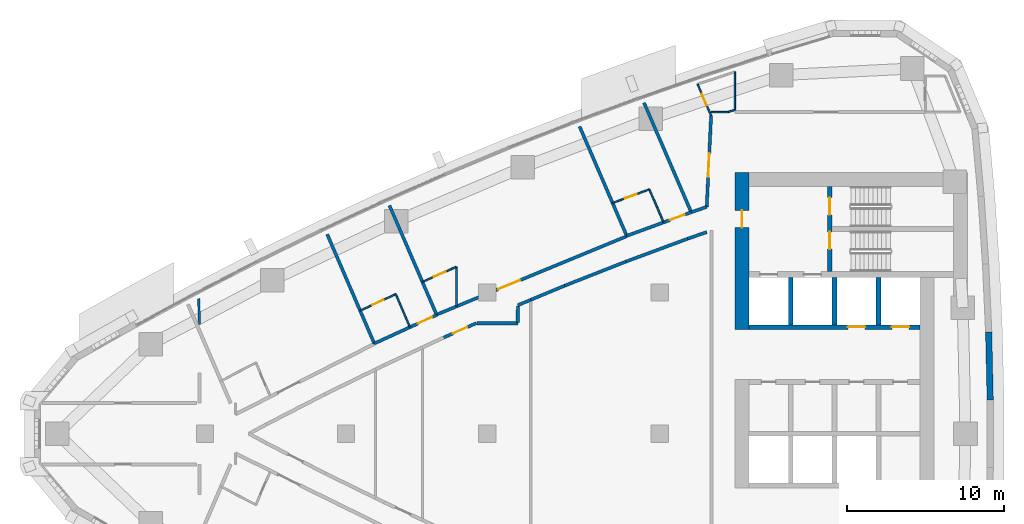
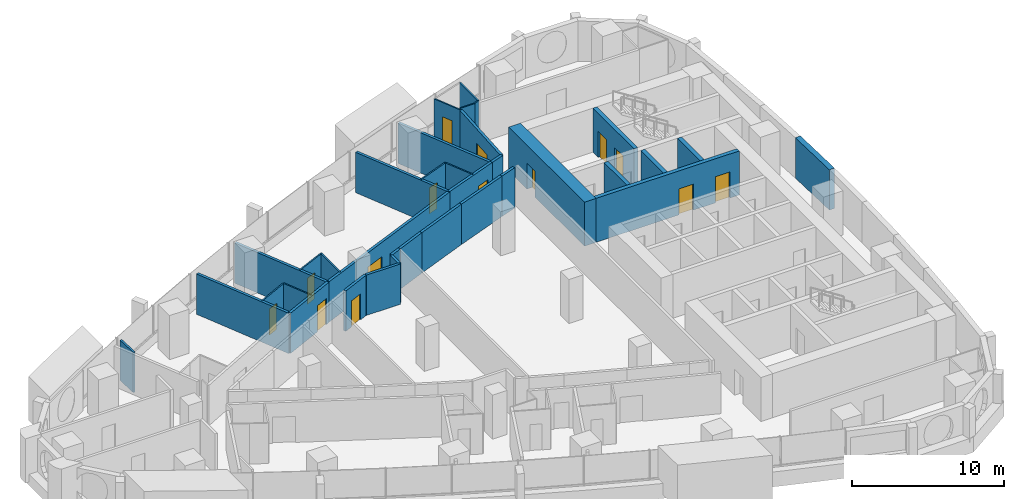
# One storey, part 11 of 16: 35 walls, 14 doors, 14 openings.
"""IFC4 building model written with IfcOpenShell, lengths in metres."""

from ifc_helpers import new_model, si_unit, direction, frame, frame_2d, origin, place, context, subcontext, project, spatial, polyline, rectangle, outline, extrude, material, layer, layer_set, type_object, element, fill, save


model = new_model("IFC4")

# Units and contexts
model_context = context("Model", 3, precision=1e-05, world=origin(), true_north=direction((0.0, 1.0)))
body_context = subcontext(model_context, "Body", "Model", "MODEL_VIEW")
ifc_project = project(units=[si_unit("LENGTHUNIT", "METRE"), si_unit("AREAUNIT", "SQUARE_METRE"), si_unit("VOLUMEUNIT", "CUBIC_METRE"), si_unit("PLANEANGLEUNIT", "RADIAN"), si_unit("MASSUNIT", "GRAM", prefix="KILO")], contexts=[model_context])

# Site, building, storey
site_placement = place(None, origin())
site = spatial("IfcSite", under=ifc_project, at=site_placement, CompositionType="ELEMENT")
building_placement = place(site_placement, origin())
building = spatial("IfcBuilding", under=site, at=building_placement, Name="Ostrand Prow Hotel Tower", CompositionType="ELEMENT")
storey_placement = place(building_placement, frame((0.0, 0.0, 147.949951171875)))
storey = spatial("IfcBuildingStorey", under=building, at=storey_placement, Name="L36", CompositionType="ELEMENT", Elevation=147.949951171875)

# Wall, openings, doors
ifc_material_1 = material(Name="Concrete C70/85", Category="concrete")
ifc_layer_1 = layer(ifc_material_1, 0.300048828125)
ifc_layer_set_1 = layer_set([ifc_layer_1], Name="Concrete C70/85")
wall_type_1 = type_object("IfcWallType", Name="Core wall 300 C70/85", PredefinedType="SHEAR", material=ifc_layer_set_1)
wall_1_placement = place(storey_placement, frame((50.699951171875, 6.800048828125, 0.0), z_axis=(0.0, 0.0, 1.0), x_axis=(1.0, 0.0, 0.0)))
wall_1 = element("IfcWall", 1, at=wall_1_placement, inside=storey, type_object=wall_type_1, Name="Core wall PW-L2-N", PredefinedType="SHEAR", context=body_context, shape_type="SweptSolid", body=[
    extrude(rectangle(XDim=10.900146484375, YDim=0.300048828125, at=frame_2d((5.4501953125, 0.0))), origin(), (0.0, 0.0, 1.0), 3.550048828125),
])
opening_1_placement = place(wall_1_placement, frame((6.300048828125, 0.0, 0.0)))
opening_1 = element("IfcOpeningElement", 2, at=opening_1_placement, cuts=wall_1, Name="Opening LD", PredefinedType="OPENING", context=body_context, shape_type="SweptSolid", body=[
    extrude(rectangle(XDim=1.10009765625, YDim=2.10009765625, at=frame_2d((0.550048828125, 1.050048828125))), frame((0.0, 0.159912109375, 0.0), z_axis=(0.0, -1.0, 0.0), x_axis=(1.0, 0.0, 0.0)), (0.0, 0.0, 1.0), 0.320068359375),
])
opening_2_placement = place(wall_1_placement, frame((9.10009765625, 0.0, 0.0)))
opening_2 = element("IfcOpeningElement", 3, at=opening_2_placement, cuts=wall_1, Name="Opening LD", PredefinedType="OPENING", context=body_context, shape_type="SweptSolid", body=[
    extrude(rectangle(XDim=1.10009765625, YDim=2.10009765625, at=frame_2d((0.550048828125, 1.050048828125))), frame((0.0, 0.159912109375, 0.0), z_axis=(0.0, -1.0, 0.0), x_axis=(1.0, 0.0, 0.0)), (0.0, 0.0, 1.0), 0.320068359375),
])
ifc_material_2 = material(Name="Stainless steel door", Category="steel")
door_type_1 = type_object("IfcDoorType", Name="Lift landing door 1100", OperationType="DOUBLE_DOOR_SLIDING", PredefinedType="DOOR", material=ifc_material_2)
door_1_placement = place(opening_1_placement, origin())
door_1 = element("IfcDoor", 4, at=door_1_placement, inside=storey, type_object=door_type_1, Name="LIFT LANDING DOOR", OperationType="DOUBLE_DOOR_SLIDING", OverallHeight=2.10009765625, OverallWidth=1.10009765625, PredefinedType="DOOR", context=body_context, shape_type="SweptSolid", body=[
    extrude(rectangle(XDim=1.10009765625, YDim=2.10009765625, at=frame_2d((0.550048828125, 1.050048828125))), frame((0.0, 0.02490234375, 0.0), z_axis=(0.0, -1.0, 0.0), x_axis=(1.0, 0.0, 0.0)), (0.0, 0.0, 1.0), 0.050048828125),
])
fill(opening_1, door_1)
door_2_placement = place(opening_2_placement, origin())
door_2 = element("IfcDoor", 5, at=door_2_placement, inside=storey, type_object=door_type_1, Name="LIFT LANDING DOOR", OperationType="DOUBLE_DOOR_SLIDING", OverallHeight=2.10009765625, OverallWidth=1.10009765625, PredefinedType="DOOR", context=body_context, shape_type="SweptSolid", body=[
    extrude(rectangle(XDim=1.10009765625, YDim=2.10009765625, at=frame_2d((0.550048828125, 1.050048828125))), frame((0.0, 0.02490234375, 0.0), z_axis=(0.0, -1.0, 0.0), x_axis=(1.0, 0.0, 0.0)), (0.0, 0.0, 1.0), 0.050048828125),
])
fill(opening_2, door_2)

# Walls
for number, where, z_axis, x_axis, name in (
    (6, (53.35009765625, 6.949951171875, 0.0), (0.0, 0.0, 1.0), (0.0, 1.0, 0.0), "Core wall PW-R1-NA"),
    (7, (56.14990234375, 6.949951171875, 0.0), (0.0, 0.0, 1.0), (0.0, 1.0, 0.0), "Core wall PW-R2-NA"),
    (8, (58.949951171875, 6.949951171875, 0.0), (0.0, 0.0, 1.0), (0.0, 1.0, 0.0), "Core wall PW-R3-NA"),
):
    element("IfcWall", number, at=place(storey_placement, frame(where, z_axis=z_axis, x_axis=x_axis)), inside=storey, type_object=wall_type_1, Name=name, PredefinedType="SHEAR", context=body_context, shape_type="SweptSolid", body=[
        extrude(rectangle(XDim=3.0, YDim=0.300048828125, at=frame_2d((1.5, 0.0))), origin(), (0.0, 0.0, 1.0), 3.550048828125),
    ])

# Wall, openings, doors
wall_2_placement = place(storey_placement, frame((55.85009765625, 10.35009765625, 0.0), z_axis=(0.0, 0.0, 1.0), x_axis=(0.0, 1.0, 0.0)))
wall_2 = element("IfcWall", 9, at=wall_2_placement, inside=storey, type_object=wall_type_1, Name="Core wall PW-VN", PredefinedType="SHEAR", context=body_context, shape_type="SweptSolid", body=[
    extrude(rectangle(XDim=5.39990234375, YDim=0.300048828125, at=frame_2d((2.699951171875, 0.0))), origin(), (0.0, 0.0, 1.0), 3.550048828125),
])
opening_3_placement = place(wall_2_placement, frame((1.429931640625, 0.0, 0.0)))
opening_3 = element("IfcOpeningElement", 10, at=opening_3_placement, cuts=wall_2, Name="Opening FD1", PredefinedType="OPENING", context=body_context, shape_type="SweptSolid", body=[
    extrude(rectangle(XDim=1.10009765625, YDim=2.10009765625, at=frame_2d((0.550048828125, 1.050048828125))), frame((0.0, 0.159912109375, 0.0), z_axis=(0.0, -1.0, 0.0), x_axis=(1.0, 0.0, 0.0)), (0.0, 0.0, 1.0), 0.320068359375),
])
opening_4_placement = place(wall_2_placement, frame((3.60009765625, 0.0, 0.0)))
opening_4 = element("IfcOpeningElement", 11, at=opening_4_placement, cuts=wall_2, Name="Opening FD1", PredefinedType="OPENING", context=body_context, shape_type="SweptSolid", body=[
    extrude(rectangle(XDim=1.10009765625, YDim=2.10009765625, at=frame_2d((0.550048828125, 1.050048828125))), frame((0.0, 0.159912109375, 0.0), z_axis=(0.0, -1.0, 0.0), x_axis=(1.0, 0.0, 0.0)), (0.0, 0.0, 1.0), 0.320068359375),
])
ifc_material_3 = material(Name="Steel fire door", Category="steel")
door_type_2 = type_object("IfcDoorType", Name="Fire door 1100 EI120", OperationType="SINGLE_SWING_RIGHT", PredefinedType="DOOR", material=ifc_material_3)
door_3_placement = place(opening_3_placement, origin())
door_3 = element("IfcDoor", 12, at=door_3_placement, inside=storey, type_object=door_type_2, Name="FIRE DOOR", OperationType="SINGLE_SWING_RIGHT", OverallHeight=2.10009765625, OverallWidth=1.10009765625, PredefinedType="DOOR", context=body_context, shape_type="SweptSolid", body=[
    extrude(rectangle(XDim=1.10009765625, YDim=2.10009765625, at=frame_2d((0.550048828125, 1.050048828125))), frame((0.0, 0.02490234375, 0.0), z_axis=(0.0, -1.0, 0.0), x_axis=(1.0, 0.0, 0.0)), (0.0, 0.0, 1.0), 0.050048828125),
])
fill(opening_3, door_3)
door_4_placement = place(opening_4_placement, origin())
door_4 = element("IfcDoor", 13, at=door_4_placement, inside=storey, type_object=door_type_2, Name="FIRE DOOR", OperationType="SINGLE_SWING_RIGHT", OverallHeight=2.10009765625, OverallWidth=1.10009765625, PredefinedType="DOOR", context=body_context, shape_type="SweptSolid", body=[
    extrude(rectangle(XDim=1.10009765625, YDim=2.10009765625, at=frame_2d((0.550048828125, 1.050048828125))), frame((0.0, 0.02490234375, 0.0), z_axis=(0.0, -1.0, 0.0), x_axis=(1.0, 0.0, 0.0)), (0.0, 0.0, 1.0), 0.050048828125),
])
fill(opening_4, door_4)

# Wall, opening, door
ifc_material_4 = material(Name="Concrete C70/85", Category="concrete")
ifc_layer_2 = layer(ifc_material_4, 0.89990234375)
ifc_layer_set_2 = layer_set([ifc_layer_2], Name="Concrete C70/85")
wall_type_2 = type_object("IfcWallType", Name="Core wall 900 C70/85", PredefinedType="SHEAR", material=ifc_layer_set_2)
wall_3_placement = place(storey_placement, frame((50.25, 6.64990234375, 0.0), z_axis=(0.0, 0.0, 1.0), x_axis=(0.0, 1.0, 0.0)))
wall_3 = element("IfcWall", 14, at=wall_3_placement, inside=storey, type_object=wall_type_2, Name="Core wall CW-W-N", PredefinedType="SHEAR", context=body_context, shape_type="SweptSolid", body=[
    extrude(rectangle(XDim=10.0, YDim=0.89990234375, at=frame_2d((5.0, 0.0))), origin(), (0.0, 0.0, 1.0), 3.550048828125),
])
opening_5_placement = place(wall_3_placement, frame((6.5, 0.0, 0.0)))
opening_5 = element("IfcOpeningElement", 15, at=opening_5_placement, cuts=wall_3, Name="Opening FD1", PredefinedType="OPENING", context=body_context, shape_type="SweptSolid", body=[
    extrude(rectangle(XDim=1.10009765625, YDim=2.10009765625, at=frame_2d((0.550048828125, 1.050048828125))), frame((0.0, 0.4599609375, 0.0), z_axis=(0.0, -1.0, 0.0), x_axis=(1.0, 0.0, 0.0)), (0.0, 0.0, 1.0), 0.919921875),
])
door_5_placement = place(opening_5_placement, origin())
door_5 = element("IfcDoor", 16, at=door_5_placement, inside=storey, type_object=door_type_2, Name="FIRE DOOR", OperationType="SINGLE_SWING_RIGHT", OverallHeight=2.10009765625, OverallWidth=1.10009765625, PredefinedType="DOOR", context=body_context, shape_type="SweptSolid", body=[
    extrude(rectangle(XDim=1.10009765625, YDim=2.10009765625, at=frame_2d((0.550048828125, 1.050048828125))), frame((0.0, 0.02490234375, 0.0), z_axis=(0.0, -1.0, 0.0), x_axis=(1.0, 0.0, 0.0)), (0.0, 0.0, 1.0), 0.050048828125),
])
fill(opening_5, door_5)

ifc_material_5 = material(Name="Plasterboard partition")
ifc_layer_3 = layer(ifc_material_5, 0.10009765625)
ifc_layer_set_3 = layer_set([ifc_layer_3], Name="Plasterboard partition")
wall_type_3 = type_object("IfcWallType", Name="Partition 100 bathroom wall", PredefinedType="PARTITIONING", material=ifc_layer_set_3)
wall_4_placement = place(storey_placement, frame((25.900146484375, 7.847412109375, 0.0), z_axis=(0.0, 0.0, 1.0), x_axis=(0.906813113059, 0.421532890751, 0.0)))
wall_4 = element("IfcWall", 17, at=wall_4_placement, inside=storey, type_object=wall_type_3, Name="BATHROOM WALL", PredefinedType="PARTITIONING", context=body_context, shape_type="SweptSolid", body=[
    extrude(rectangle(XDim=2.5009765625, YDim=0.10009765625, at=frame_2d((1.25048828125, 0.0))), origin(), (0.0, 0.0, 1.0), 3.25),
])
opening_6_placement = place(wall_4_placement, frame((0.85009765625, 0.0, 0.0)))
opening_6 = element("IfcOpeningElement", 18, at=opening_6_placement, cuts=wall_4, Name="Opening D2", PredefinedType="OPENING", context=body_context, shape_type="SweptSolid", body=[
    extrude(rectangle(XDim=0.800048828125, YDim=2.10009765625, at=frame_2d((0.39990234375, 1.050048828125))), frame((0.0, 0.06005859375, 0.0), z_axis=(0.0, -1.0, 0.0), x_axis=(1.0, 0.0, 0.0)), (0.0, 0.0, 1.0), 0.1201171875),
])
ifc_material_6 = material(Name="Timber door leaf", Category="wood")
door_type_3 = type_object("IfcDoorType", Name="Bathroom door 800", OperationType="SINGLE_SWING_LEFT", PredefinedType="DOOR", material=ifc_material_6)
door_6_placement = place(opening_6_placement, origin())
door_6 = element("IfcDoor", 19, at=door_6_placement, inside=storey, type_object=door_type_3, Name="DOOR", OperationType="SINGLE_SWING_LEFT", OverallHeight=2.10009765625, OverallWidth=0.800048828125, PredefinedType="DOOR", context=body_context, shape_type="SweptSolid", body=[
    extrude(rectangle(XDim=0.800048828125, YDim=2.10009765625, at=frame_2d((0.39990234375, 1.050048828125))), frame((0.0, 0.02490234375, 0.0), z_axis=(0.0, -1.0, 0.0), x_axis=(1.0, 0.0, 0.0)), (0.0, 0.0, 1.0), 0.050048828125),
])
fill(opening_6, door_6)

# Wall
wall_5_placement = place(storey_placement, frame((28.16796875, 8.901611328125, 0.0), z_axis=(0.0, 0.0, 1.0), x_axis=(0.396000751487, -0.918250186399, 0.0)))
element("IfcWall", 20, at=wall_5_placement, inside=storey, type_object=wall_type_3, Name="BATHROOM WALL", PredefinedType="PARTITIONING", context=body_context, shape_type="SweptSolid", body=[
    extrude(rectangle(XDim=2.278076171875, YDim=0.10009765625, at=frame_2d((1.13916015625, 0.0))), origin(), (0.0, 0.0, 1.0), 3.25),
])

# Wall, opening, door
wall_6_placement = place(storey_placement, frame((29.86962890625, 9.6875, 0.0), z_axis=(0.0, 0.0, 1.0), x_axis=(0.915108845766, 0.403206895278, 0.0)))
wall_6 = element("IfcWall", 21, at=wall_6_placement, inside=storey, type_object=wall_type_3, Name="BATHROOM WALL", PredefinedType="PARTITIONING", context=body_context, shape_type="SweptSolid", body=[
    extrude(rectangle(XDim=2.3583984375, YDim=0.10009765625, at=frame_2d((1.17919921875, 0.0))), origin(), (0.0, 0.0, 1.0), 3.25),
])
opening_7_placement = place(wall_6_placement, frame((0.800048828125, 0.0, 0.0)))
opening_7 = element("IfcOpeningElement", 22, at=opening_7_placement, cuts=wall_6, Name="Opening D2", PredefinedType="OPENING", context=body_context, shape_type="SweptSolid", body=[
    extrude(rectangle(XDim=0.800048828125, YDim=2.10009765625, at=frame_2d((0.39990234375, 1.050048828125))), frame((0.0, 0.06005859375, 0.0), z_axis=(0.0, -1.0, 0.0), x_axis=(1.0, 0.0, 0.0)), (0.0, 0.0, 1.0), 0.1201171875),
])
door_7_placement = place(opening_7_placement, origin())
door_7 = element("IfcDoor", 23, at=door_7_placement, inside=storey, type_object=door_type_3, Name="DOOR", OperationType="SINGLE_SWING_LEFT", OverallHeight=2.10009765625, OverallWidth=0.800048828125, PredefinedType="DOOR", context=body_context, shape_type="SweptSolid", body=[
    extrude(rectangle(XDim=0.800048828125, YDim=2.10009765625, at=frame_2d((0.39990234375, 1.050048828125))), frame((0.0, 0.02490234375, 0.0), z_axis=(0.0, -1.0, 0.0), x_axis=(1.0, 0.0, 0.0)), (0.0, 0.0, 1.0), 0.050048828125),
])
fill(opening_7, door_7)

wall_7_placement = place(storey_placement, frame((41.996337890625, 14.714111328125, 0.0), z_axis=(0.0, 0.0, 1.0), x_axis=(0.937752290113, 0.347304826323, 0.0)))
wall_7 = element("IfcWall", 24, at=wall_7_placement, inside=storey, type_object=wall_type_3, Name="BATHROOM WALL", PredefinedType="PARTITIONING", context=body_context, shape_type="SweptSolid", body=[
    extrude(rectangle(XDim=2.503173828125, YDim=0.10009765625, at=frame_2d((1.25146484375, 0.0))), origin(), (0.0, 0.0, 1.0), 3.25),
])
opening_8_placement = place(wall_7_placement, frame((0.85009765625, 0.0, 0.0)))
opening_8 = element("IfcOpeningElement", 25, at=opening_8_placement, cuts=wall_7, Name="Opening D2", PredefinedType="OPENING", context=body_context, shape_type="SweptSolid", body=[
    extrude(rectangle(XDim=0.800048828125, YDim=2.10009765625, at=frame_2d((0.39990234375, 1.050048828125))), frame((0.0, 0.06005859375, 0.0), z_axis=(0.0, -1.0, 0.0), x_axis=(1.0, 0.0, 0.0)), (0.0, 0.0, 1.0), 0.1201171875),
])
door_8_placement = place(opening_8_placement, origin())
door_8 = element("IfcDoor", 26, at=door_8_placement, inside=storey, type_object=door_type_3, Name="DOOR", OperationType="SINGLE_SWING_LEFT", OverallHeight=2.10009765625, OverallWidth=0.800048828125, PredefinedType="DOOR", context=body_context, shape_type="SweptSolid", body=[
    extrude(rectangle(XDim=0.800048828125, YDim=2.10009765625, at=frame_2d((0.39990234375, 1.050048828125))), frame((0.0, 0.02490234375, 0.0), z_axis=(0.0, -1.0, 0.0), x_axis=(1.0, 0.0, 0.0)), (0.0, 0.0, 1.0), 0.050048828125),
])
fill(opening_8, door_8)

# Wall
wall_8_placement = place(storey_placement, frame((44.343994140625, 15.58349609375, 0.0), z_axis=(0.0, 0.0, 1.0), x_axis=(0.395960119478, -0.918267708124, 0.0)))
element("IfcWall", 27, at=wall_8_placement, inside=storey, type_object=wall_type_3, Name="BATHROOM WALL", PredefinedType="PARTITIONING", context=body_context, shape_type="SweptSolid", body=[
    extrude(rectangle(XDim=2.280029296875, YDim=0.10009765625, at=frame_2d((1.14013671875, 0.0))), origin(), (0.0, 0.0, 1.0), 3.25),
])

# Wall, opening, door
wall_9_placement = place(storey_placement, frame((48.27880859375, 20.28857421875, 0.0), z_axis=(0.0, 0.0, 1.0), x_axis=(-0.396028123143, 0.918238381729, 0.0)))
wall_9 = element("IfcWall", 28, at=wall_9_placement, inside=storey, type_object=wall_type_3, Name="BATHROOM WALL", PredefinedType="PARTITIONING", context=body_context, shape_type="SweptSolid", body=[
    extrude(rectangle(XDim=2.1787109375, YDim=0.10009765625, at=frame_2d((1.08935546875, 0.0))), origin(), (0.0, 0.0, 1.0), 3.25),
])
opening_9_placement = place(wall_9_placement, frame((0.699951171875, 0.0, 0.0)))
opening_9 = element("IfcOpeningElement", 29, at=opening_9_placement, cuts=wall_9, Name="Opening D2", PredefinedType="OPENING", context=body_context, shape_type="SweptSolid", body=[
    extrude(rectangle(XDim=0.800048828125, YDim=2.10009765625, at=frame_2d((0.39990234375, 1.050048828125))), frame((0.0, 0.06005859375, 0.0), z_axis=(0.0, -1.0, 0.0), x_axis=(1.0, 0.0, 0.0)), (0.0, 0.0, 1.0), 0.1201171875),
])
door_9_placement = place(opening_9_placement, origin())
door_9 = element("IfcDoor", 30, at=door_9_placement, inside=storey, type_object=door_type_3, Name="DOOR", OperationType="SINGLE_SWING_LEFT", OverallHeight=2.10009765625, OverallWidth=0.800048828125, PredefinedType="DOOR", context=body_context, shape_type="SweptSolid", body=[
    extrude(rectangle(XDim=0.800048828125, YDim=2.10009765625, at=frame_2d((0.39990234375, 1.050048828125))), frame((0.0, 0.02490234375, 0.0), z_axis=(0.0, -1.0, 0.0), x_axis=(1.0, 0.0, 0.0)), (0.0, 0.0, 1.0), 0.050048828125),
])
fill(opening_9, door_9)

# Walls
wall_10_placement = place(storey_placement, frame((32.044921875, 10.6640625, 0.0), z_axis=(0.0, 0.0, 1.0), x_axis=(0.0, -1.0, 0.0)))
element("IfcWall", 31, at=wall_10_placement, inside=storey, type_object=wall_type_3, Name="BATHROOM WALL", PredefinedType="PARTITIONING", context=body_context, shape_type="SweptSolid", body=[
    extrude(rectangle(XDim=2.52587890625, YDim=0.10009765625, at=frame_2d((1.262939453125, 0.0))), origin(), (0.0, 0.0, 1.0), 3.25),
])
wall_11_placement = place(storey_placement, frame((49.800048828125, 23.07421875, 0.0), z_axis=(0.0, 0.0, 1.0), x_axis=(0.0, -1.0, 0.0)))
element("IfcWall", 32, at=wall_11_placement, inside=storey, type_object=wall_type_3, Name="BATHROOM WALL", PredefinedType="PARTITIONING", context=body_context, shape_type="SweptSolid", body=[
    extrude(rectangle(XDim=2.41845703125, YDim=0.10009765625, at=frame_2d((1.209228515625, 0.0))), origin(), (0.0, 0.0, 1.0), 3.25),
])
wall_12_placement = place(storey_placement, frame((49.800048828125, 20.65576171875, 0.0), z_axis=(0.0, 0.0, 1.0), x_axis=(-0.950681805248, -0.310167866115, 0.0)))
element("IfcWall", 33, at=wall_12_placement, inside=storey, type_object=wall_type_3, Name="BATHROOM WALL", PredefinedType="PARTITIONING", context=body_context, shape_type="SweptSolid", body=[
    extrude(rectangle(XDim=0.423583984375, YDim=0.10009765625, at=frame_2d((0.2119140625, 0.0))), origin(), (0.0, 0.0, 1.0), 3.25),
])
wall_13_placement = place(storey_placement, frame((49.433837890625, 20.5048828125, 0.0), z_axis=(0.0, 0.0, 1.0), x_axis=(-1.0, 0.0, 0.0)))
element("IfcWall", 34, at=wall_13_placement, inside=storey, type_object=wall_type_3, Name="BATHROOM WALL", PredefinedType="PARTITIONING", context=body_context, shape_type="SweptSolid", body=[
    extrude(rectangle(XDim=1.13525390625, YDim=0.10009765625, at=frame_2d((0.567626953125, 0.0))), origin(), (0.0, 0.0, 1.0), 3.25),
])
ifc_material_7 = material(Name="Plasterboard partition")
ifc_layer_4 = layer(ifc_material_7, 0.14990234375)
ifc_layer_set_4 = layer_set([ifc_layer_4], Name="Plasterboard partition")
wall_type_4 = type_object("IfcWallType", Name="Partition 150 room partition", PredefinedType="PARTITIONING", material=ifc_layer_set_4)
wall_14_placement = place(storey_placement, frame((15.603759765625, 8.60888671875, 0.0), z_axis=(0.0, 0.0, 1.0), x_axis=(0.033196927484, -0.999448830109, 0.0)))
element("IfcWall", 35, at=wall_14_placement, inside=storey, type_object=wall_type_4, Name="ROOM PARTITION", PredefinedType="PARTITIONING", context=body_context, shape_type="SweptSolid", body=[
    extrude(rectangle(XDim=1.65478515625, YDim=0.14990234375, at=frame_2d((0.827392578125, 0.0))), origin(), (0.0, 0.0, 1.0), 3.25),
])

# Wall, opening, door
ifc_material_8 = material(Name="Plasterboard partition")
ifc_layer_5 = layer(ifc_material_8, 0.199951171875)
ifc_layer_set_5 = layer_set([ifc_layer_5], Name="Plasterboard partition")
wall_type_5 = type_object("IfcWallType", Name="Partition 200 corridor wall", PredefinedType="PARTITIONING", material=ifc_layer_set_5)
wall_15_placement = place(storey_placement, frame((26.80322265625, 5.7529296875, 0.0), z_axis=(0.0, 0.0, 1.0), x_axis=(0.90910092787, 0.416575926987, 0.0)))
wall_15 = element("IfcWall", 36, at=wall_15_placement, inside=storey, type_object=wall_type_5, Name="CORRIDOR WALL", PredefinedType="PARTITIONING", context=body_context, shape_type="SweptSolid", body=[
    extrude(rectangle(XDim=4.375, YDim=0.199951171875, at=frame_2d((2.1875, 0.0))), origin(), (0.0, 0.0, 1.0), 3.25),
])
opening_10_placement = place(wall_15_placement, frame((3.050048828125, 0.0, 0.0)))
opening_10 = element("IfcOpeningElement", 37, at=opening_10_placement, cuts=wall_15, Name="Opening D1R", PredefinedType="OPENING", context=body_context, shape_type="SweptSolid", body=[
    extrude(rectangle(XDim=1.0, YDim=2.10009765625, at=frame_2d((0.5, 1.050048828125))), frame((0.0, 0.10986328125, 0.0), z_axis=(0.0, -1.0, 0.0), x_axis=(1.0, 0.0, 0.0)), (0.0, 0.0, 1.0), 0.219970703125),
])
ifc_material_9 = material(Name="Timber door leaf", Category="wood")
door_type_4 = type_object("IfcDoorType", Name="Guest room door 1000 right", OperationType="SINGLE_SWING_RIGHT", PredefinedType="DOOR", material=ifc_material_9)
door_10_placement = place(opening_10_placement, origin())
door_10 = element("IfcDoor", 38, at=door_10_placement, inside=storey, type_object=door_type_4, Name="DOOR", OperationType="SINGLE_SWING_RIGHT", OverallHeight=2.10009765625, OverallWidth=1.0, PredefinedType="DOOR", context=body_context, shape_type="SweptSolid", body=[
    extrude(rectangle(XDim=1.0, YDim=2.10009765625, at=frame_2d((0.5, 1.050048828125))), frame((0.0, 0.02490234375, 0.0), z_axis=(0.0, -1.0, 0.0), x_axis=(1.0, 0.0, 0.0)), (0.0, 0.0, 1.0), 0.050048828125),
])
fill(opening_10, door_10)

wall_16_placement = place(storey_placement, frame((30.7724609375, 7.593994140625, 0.0), z_axis=(0.0, 0.0, 1.0), x_axis=(0.924461873383, 0.381274500407, 0.0)))
wall_16 = element("IfcWall", 39, at=wall_16_placement, inside=storey, type_object=wall_type_5, Name="CORRIDOR WALL", PredefinedType="PARTITIONING", context=body_context, shape_type="SweptSolid", body=[
    extrude(rectangle(XDim=13.12744140625, YDim=0.199951171875, at=frame_2d((6.563720703125, 0.0))), origin(), (0.0, 0.0, 1.0), 3.25),
])
opening_11_placement = place(wall_16_placement, frame((4.25, 0.0, 0.0)))
opening_11 = element("IfcOpeningElement", 40, at=opening_11_placement, cuts=wall_16, Name="Opening D15", PredefinedType="OPENING", context=body_context, shape_type="SweptSolid", body=[
    extrude(rectangle(XDim=1.5, YDim=2.10009765625, at=frame_2d((0.75, 1.050048828125))), frame((0.0, 0.10986328125, 0.0), z_axis=(0.0, -1.0, 0.0), x_axis=(1.0, 0.0, 0.0)), (0.0, 0.0, 1.0), 0.219970703125),
])
ifc_material_10 = material(Name="Timber door leaf", Category="wood")
door_type_5 = type_object("IfcDoorType", Name="Double door 1500", OperationType="DOUBLE_DOOR_SINGLE_SWING", PredefinedType="DOOR", material=ifc_material_10)
door_11_placement = place(opening_11_placement, origin())
door_11 = element("IfcDoor", 41, at=door_11_placement, inside=storey, type_object=door_type_5, Name="DOOR", OperationType="DOUBLE_DOOR_SINGLE_SWING", OverallHeight=2.10009765625, OverallWidth=1.5, PredefinedType="DOOR", context=body_context, shape_type="SweptSolid", body=[
    extrude(rectangle(XDim=1.5, YDim=2.10009765625, at=frame_2d((0.75, 1.050048828125))), frame((0.0, 0.02490234375, 0.0), z_axis=(0.0, -1.0, 0.0), x_axis=(1.0, 0.0, 0.0)), (0.0, 0.0, 1.0), 0.050048828125),
])
fill(opening_11, door_11)

wall_17_placement = place(storey_placement, frame((47.012451171875, 14.123779296875, 0.0), z_axis=(0.0, 0.0, 1.0), x_axis=(-0.938980181367, -0.343971247345, 0.0)))
wall_17 = element("IfcWall", 42, at=wall_17_placement, inside=storey, type_object=wall_type_5, Name="CORRIDOR WALL", PredefinedType="PARTITIONING", context=body_context, shape_type="SweptSolid", body=[
    extrude(rectangle(XDim=4.37939453125, YDim=0.199951171875, at=frame_2d((2.189697265625, 0.0))), origin(), (0.0, 0.0, 1.0), 3.25),
])
opening_12_placement = place(wall_17_placement, frame((0.449951171875, 0.0, 0.0)))
opening_12 = element("IfcOpeningElement", 43, at=opening_12_placement, cuts=wall_17, Name="Opening D1R", PredefinedType="OPENING", context=body_context, shape_type="SweptSolid", body=[
    extrude(rectangle(XDim=1.0, YDim=2.10009765625, at=frame_2d((0.5, 1.050048828125))), frame((0.0, 0.10986328125, 0.0), z_axis=(0.0, -1.0, 0.0), x_axis=(1.0, 0.0, 0.0)), (0.0, 0.0, 1.0), 0.219970703125),
])
door_12_placement = place(opening_12_placement, origin())
door_12 = element("IfcDoor", 44, at=door_12_placement, inside=storey, type_object=door_type_4, Name="DOOR", OperationType="SINGLE_SWING_RIGHT", OverallHeight=2.10009765625, OverallWidth=1.0, PredefinedType="DOOR", context=body_context, shape_type="SweptSolid", body=[
    extrude(rectangle(XDim=1.0, YDim=2.10009765625, at=frame_2d((0.5, 1.050048828125))), frame((0.0, 0.02490234375, 0.0), z_axis=(0.0, -1.0, 0.0), x_axis=(1.0, 0.0, 0.0)), (0.0, 0.0, 1.0), 0.050048828125),
])
fill(opening_12, door_12)

wall_18_placement = place(storey_placement, frame((31.231201171875, 6.135009765625, 0.0), z_axis=(0.0, 0.0, 1.0), x_axis=(0.915102334452, 0.403221672881, 0.0)))
wall_18 = element("IfcWall", 45, at=wall_18_placement, inside=storey, type_object=wall_type_5, Name="CORRIDOR WALL", PredefinedType="PARTITIONING", context=body_context, shape_type="SweptSolid", body=[
    extrude(rectangle(XDim=2.269287109375, YDim=0.199951171875, at=frame_2d((1.134765625, 0.0))), origin(), (0.0, 0.0, 1.0), 3.25),
])
opening_13_placement = place(wall_18_placement, frame((0.634521484375, 0.0, 0.0)))
opening_13 = element("IfcOpeningElement", 46, at=opening_13_placement, cuts=wall_18, Name="Opening D1R", PredefinedType="OPENING", context=body_context, shape_type="SweptSolid", body=[
    extrude(rectangle(XDim=1.0, YDim=2.10009765625, at=frame_2d((0.5, 1.050048828125))), frame((0.0, 0.10986328125, 0.0), z_axis=(0.0, -1.0, 0.0), x_axis=(1.0, 0.0, 0.0)), (0.0, 0.0, 1.0), 0.219970703125),
])
door_13_placement = place(opening_13_placement, origin())
door_13 = element("IfcDoor", 47, at=door_13_placement, inside=storey, type_object=door_type_4, Name="DOOR", OperationType="SINGLE_SWING_RIGHT", OverallHeight=2.10009765625, OverallWidth=1.0, PredefinedType="DOOR", context=body_context, shape_type="SweptSolid", body=[
    extrude(rectangle(XDim=1.0, YDim=2.10009765625, at=frame_2d((0.5, 1.050048828125))), frame((0.0, 0.02490234375, 0.0), z_axis=(0.0, -1.0, 0.0), x_axis=(1.0, 0.0, 0.0)), (0.0, 0.0, 1.0), 0.050048828125),
])
fill(opening_13, door_13)

# Walls
wall_19_placement = place(storey_placement, frame((35.949951171875, 8.193115234375, 0.0), z_axis=(0.0, 0.0, 1.0), x_axis=(0.922997009646, 0.384807120756, 0.0)))
element("IfcWall", 48, at=wall_19_placement, inside=storey, type_object=wall_type_5, Name="CORRIDOR WALL", PredefinedType="PARTITIONING", context=body_context, shape_type="SweptSolid", body=[
    extrude(rectangle(XDim=0.904052734375, YDim=0.199951171875, at=frame_2d((0.4521484375, 0.0))), origin(), (0.0, 0.0, 1.0), 3.25),
])
for number, where, z_axis, x_axis, name in (
    (49, (38.943115234375, 9.44091796875, 0.0), (0.0, 0.0, 1.0), (0.930576677263, 0.36609704688, 0.0), "CORRIDOR WALL"),
    (50, (42.84716796875, 10.976806640625, 0.0), (0.0, 0.0, 1.0), (0.937732614305, 0.347357948044, 0.0), "CORRIDOR WALL"),
):
    element("IfcWall", number, at=place(storey_placement, frame(where, z_axis=z_axis, x_axis=x_axis)), inside=storey, type_object=wall_type_5, Name=name, PredefinedType="PARTITIONING", context=body_context, shape_type="SweptSolid", body=[
        extrude(rectangle(XDim=4.1953125, YDim=0.199951171875, at=frame_2d((2.09765625, 0.0))), origin(), (0.0, 0.0, 1.0), 3.25),
    ])
wall_20_placement = place(storey_placement, frame((36.784423828125, 8.541015625, 0.0), z_axis=(0.0, 0.0, 1.0), x_axis=(0.923008963065, 0.384778448073, 0.0)))
element("IfcWall", 51, at=wall_20_placement, inside=storey, type_object=wall_type_5, Name="CORRIDOR WALL", PredefinedType="PARTITIONING", context=body_context, shape_type="SweptSolid", body=[
    extrude(rectangle(XDim=2.3388671875, YDim=0.199951171875, at=frame_2d((1.16943359375, 0.0))), origin(), (0.0, 0.0, 1.0), 3.25),
])
wall_21_placement = place(storey_placement, frame((48.0, 14.467041015625, 0.0), z_axis=(0.0, 0.0, 1.0), x_axis=(-0.944566081842, -0.32832136244, 0.0)))
element("IfcWall", 52, at=wall_21_placement, inside=storey, type_object=wall_type_5, Name="CORRIDOR WALL", PredefinedType="PARTITIONING", context=body_context, shape_type="SweptSolid", body=[
    extrude(rectangle(XDim=1.04541015625, YDim=0.199951171875, at=frame_2d((0.522705078125, 0.0))), origin(), (0.0, 0.0, 1.0), 3.25),
])
wall_22_placement = place(storey_placement, frame((46.78125, 12.43408203125, 0.0), z_axis=(0.0, 0.0, 1.0), x_axis=(0.944517215109, 0.328461916152, 0.0)))
element("IfcWall", 53, at=wall_22_placement, inside=storey, type_object=wall_type_5, Name="CORRIDOR WALL", PredefinedType="PARTITIONING", context=body_context, shape_type="SweptSolid", body=[
    extrude(rectangle(XDim=1.290283203125, YDim=0.199951171875, at=frame_2d((0.64501953125, 0.0))), origin(), (0.0, 0.0, 1.0), 3.25),
])

# Wall, opening, door
wall_23_placement = place(storey_placement, frame((48.27880859375, 20.28857421875, 0.0), z_axis=(0.0, 0.0, 1.0), x_axis=(-0.047837808481, -0.998855116661, 0.0)))
wall_23 = element("IfcWall", 54, at=wall_23_placement, inside=storey, type_object=wall_type_5, Name="CORRIDOR WALL", PredefinedType="PARTITIONING", context=body_context, shape_type="SweptSolid", body=[
    extrude(rectangle(XDim=5.828125, YDim=0.199951171875, at=frame_2d((2.9140625, 0.0))), origin(), (0.0, 0.0, 1.0), 3.25),
])
opening_14_placement = place(wall_23_placement, frame((2.4140625, 0.0, 0.0)))
opening_14 = element("IfcOpeningElement", 55, at=opening_14_placement, cuts=wall_23, Name="Opening D15", PredefinedType="OPENING", context=body_context, shape_type="SweptSolid", body=[
    extrude(rectangle(XDim=1.5, YDim=2.10009765625, at=frame_2d((0.75, 1.050048828125))), frame((0.0, 0.10986328125, 0.0), z_axis=(0.0, -1.0, 0.0), x_axis=(1.0, 0.0, 0.0)), (0.0, 0.0, 1.0), 0.219970703125),
])
door_14_placement = place(opening_14_placement, origin())
door_14 = element("IfcDoor", 56, at=door_14_placement, inside=storey, type_object=door_type_5, Name="DOOR", OperationType="DOUBLE_DOOR_SINGLE_SWING", OverallHeight=2.10009765625, OverallWidth=1.5, PredefinedType="DOOR", context=body_context, shape_type="SweptSolid", body=[
    extrude(rectangle(XDim=1.5, YDim=2.10009765625, at=frame_2d((0.75, 1.050048828125))), frame((0.0, 0.02490234375, 0.0), z_axis=(0.0, -1.0, 0.0), x_axis=(1.0, 0.0, 0.0)), (0.0, 0.0, 1.0), 0.050048828125),
])
fill(opening_14, door_14)

# Walls
wall_24_placement = place(storey_placement, frame((33.347412109375, 7.044921875, 0.0), z_axis=(0.0, 0.0, 1.0), x_axis=(0.999999982426, 0.000187476562, 0.0)))
element("IfcWall", 57, at=wall_24_placement, inside=storey, type_object=wall_type_5, Name="CORRIDOR WALL", PredefinedType="PARTITIONING", context=body_context, shape_type="SweptSolid", body=[
    extrude(rectangle(XDim=2.6044921875, YDim=0.199951171875, at=frame_2d((1.30224609375, 0.0))), origin(), (0.0, 0.0, 1.0), 3.25),
])
wall_25_placement = place(storey_placement, frame((35.951904296875, 7.08544921875, 0.0), z_axis=(0.0, 0.0, 1.0), x_axis=(0.002742846825, 0.999996238389, 0.0)))
element("IfcWall", 58, at=wall_25_placement, inside=storey, type_object=wall_type_5, Name="CORRIDOR WALL", PredefinedType="PARTITIONING", context=body_context, shape_type="SweptSolid", body=[
    extrude(rectangle(XDim=1.068115234375, YDim=0.199951171875, at=frame_2d((0.5341796875, 0.0))), origin(), (0.0, 0.0, 1.0), 3.25),
])
ifc_material_11 = material(Name="Plasterboard partition")
ifc_layer_6 = layer(ifc_material_11, 0.199951171875)
ifc_layer_set_6 = layer_set([ifc_layer_6], Name="Plasterboard partition")
wall_type_6 = type_object("IfcWallType", Name="Partition 200 key partition", PredefinedType="PARTITIONING", material=ifc_layer_set_6)
wall_26_placement = place(storey_placement, frame((26.811279296875, 5.734619140625, 0.0), z_axis=(0.0, 0.0, 1.0), x_axis=(-0.395995556294, 0.918252426839, 0.0)))
element("IfcWall", 59, at=wall_26_placement, inside=storey, type_object=wall_type_6, Name="KEY PARTITION", PredefinedType="PARTITIONING", context=body_context, shape_type="SweptSolid", body=[
    extrude(rectangle(XDim=7.60302734375, YDim=0.199951171875, at=frame_2d((3.801513671875, 0.0))), origin(), (0.0, 0.0, 1.0), 3.25),
])
wall_27_placement = place(storey_placement, frame((30.780517578125, 7.575439453125, 0.0), z_axis=(0.0, 0.0, 1.0), x_axis=(-0.396004020147, 0.918248776763, 0.0)))
element("IfcWall", 60, at=wall_27_placement, inside=storey, type_object=wall_type_6, Name="KEY PARTITION", PredefinedType="PARTITIONING", context=body_context, shape_type="SweptSolid", body=[
    extrude(rectangle(XDim=7.600341796875, YDim=0.199951171875, at=frame_2d((3.80029296875, 0.0))), origin(), (0.0, 0.0, 1.0), 3.25),
])
wall_28_placement = place(storey_placement, frame((42.908203125, 12.59912109375, 0.0), z_axis=(0.0, 0.0, 1.0), x_axis=(-0.395993528256, 0.918253301426, 0.0)))
element("IfcWall", 61, at=wall_28_placement, inside=storey, type_object=wall_type_6, Name="KEY PARTITION", PredefinedType="PARTITIONING", context=body_context, shape_type="SweptSolid", body=[
    extrude(rectangle(XDim=7.6103515625, YDim=0.199951171875, at=frame_2d((3.80517578125, 0.0))), origin(), (0.0, 0.0, 1.0), 3.25),
])
wall_29_placement = place(storey_placement, frame((47.0205078125, 14.105224609375, 0.0), z_axis=(0.0, 0.0, 1.0), x_axis=(-0.39600636385, 0.918247766014, 0.0)))
element("IfcWall", 62, at=wall_29_placement, inside=storey, type_object=wall_type_6, Name="KEY PARTITION", PredefinedType="PARTITIONING", context=body_context, shape_type="SweptSolid", body=[
    extrude(rectangle(XDim=7.6201171875, YDim=0.199951171875, at=frame_2d((3.81005859375, 0.0))), origin(), (0.0, 0.0, 1.0), 3.25),
])
ifc_material_12 = material(Name="Precast concrete C40/50", Category="concrete")
ifc_layer_7 = layer(ifc_material_12, 0.39990234375)
ifc_layer_set_7 = layer_set([ifc_layer_7], Name="Precast concrete C40/50")
wall_type_7 = type_object("IfcWallType", Name="Stone-faced precast wall 400 mm", PredefinedType="NOTDEFINED", material=ifc_layer_set_7)
wall_30_placement = place(storey_placement, frame((66.07568359375, 2.16455078125, 0.0), z_axis=(0.0, 0.0, 1.0), x_axis=(-0.02261635063, 0.99974421763, 0.0)))
element("IfcWall", 63, at=wall_30_placement, inside=storey, type_object=wall_type_7, Name="Stone-faced wall back 10", PredefinedType="NOTDEFINED", context=body_context, shape_type="SweptSolid", body=[
    extrude(outline(polyline([(-0.002197265625, -0.199951171875), (4.3310546875, -0.199951171875), (4.32666015625, 0.199951171875), (0.002197265625, 0.199951171875), (-0.002197265625, -0.199951171875)])), origin(), (0.0, 0.0, 1.0), 3.25),
])

save(model, "model.ifc")
